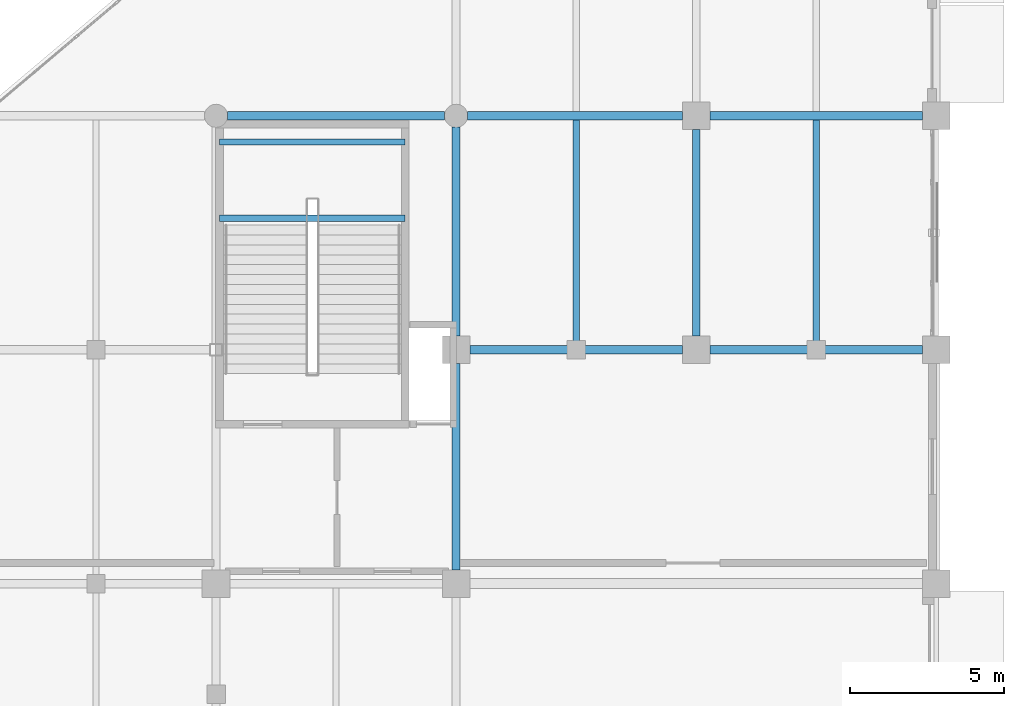
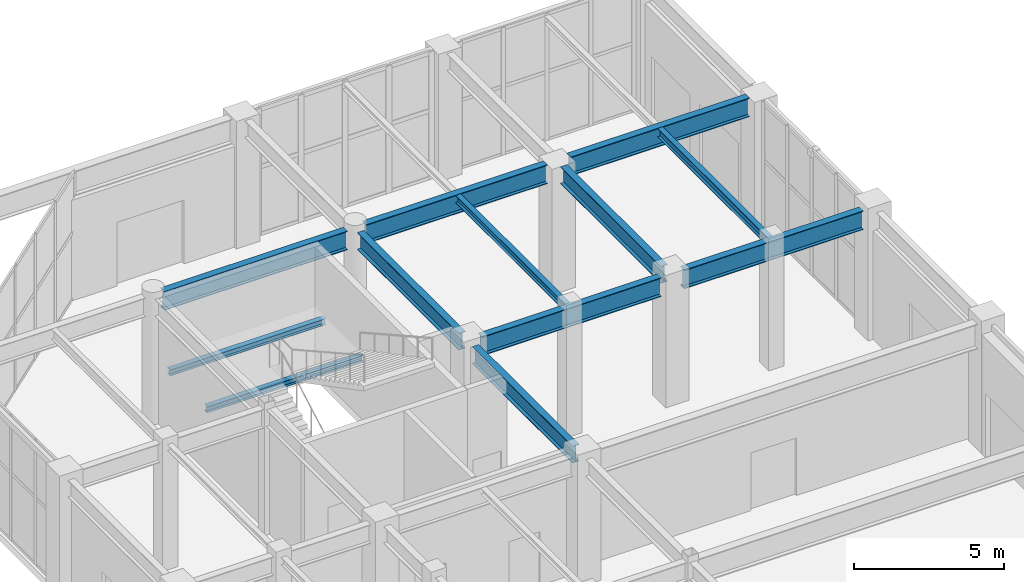
# One storey, part 84 of 139: 12 beams.
"""IFC4 building model written with IfcOpenShell, lengths in metres."""

import ifcopenshell
import ifcopenshell.guid

model = None  # the IFC model being written
_history = None  # IfcOwnerHistory: only IFC2X3 demands one
_inside = {}  # id of a spatial element -> (the spatial element, [elements in it])
_under = {}  # id of a project, library or spatial element -> (it, [spatial elements below it])
_declared = {}  # id of a project -> (the project, [libraries it declares])
_typed = {}  # id of a type object -> (the type object, [elements of that type])
_made_of = {}  # id of a material, layer set ... -> (it, [elements and type objects made of it])


def new_model(schema):
    """Start an empty IFC model of exactly this schema.

    Asked for "IFC4X3", IfcOpenShell would pick the latest addendum, in which some entities
    have other attributes; the version numbers below select the first issue.
    IFC2X3 requires an IfcOwnerHistory on every rooted entity: one is made here for all.
    """
    global model, _history
    if schema == "IFC4X3":
        model = ifcopenshell.file(schema_version=(4, 3, 0, 0))
    else:
        model = ifcopenshell.file(schema=schema)
    _inside.clear()
    _under.clear()
    _declared.clear()
    _typed.clear()
    _made_of.clear()
    _history = None
    if model.schema == "IFC2X3":
        org = make("IfcOrganization", Name="unknown")
        user = make(
            "IfcPersonAndOrganization",
            ThePerson=make("IfcPerson", FamilyName="unknown"),
            TheOrganization=org,
        )
        app = make(
            "IfcApplication",
            ApplicationDeveloper=org,
            Version="unknown",
            ApplicationFullName="unknown",
            ApplicationIdentifier="unknown",
        )
        _history = make(
            "IfcOwnerHistory",
            OwningUser=user,
            OwningApplication=app,
            ChangeAction="ADDED",
            CreationDate=0,
        )
    return model


def make(cls, **values):
    """One entity of the class cls with the attributes given. An attribute that is None is left unset."""
    return model.create_entity(
        cls, **{name: value for name, value in values.items() if value is not None}
    )


def rooted(cls, **values):
    """An entity with a GlobalId (a new one), such as an element, a storey or a relation."""
    return make(cls, GlobalId=ifcopenshell.guid.new(), OwnerHistory=_history, **values)


def si_unit(unit_type, name, prefix=None):
    """IfcSIUnit, for example si_unit("LENGTHUNIT", "METRE", prefix="MILLI")."""
    return make("IfcSIUnit", UnitType=unit_type, Prefix=prefix, Name=name)


def assignment(units):
    """IfcUnitAssignment: the units of a project."""
    return None if units is None else make("IfcUnitAssignment", Units=units)


def point(xyz):
    """IfcCartesianPoint."""
    return None if xyz is None else make("IfcCartesianPoint", Coordinates=xyz)


def direction(xyz):
    """IfcDirection."""
    return None if xyz is None else make("IfcDirection", DirectionRatios=xyz)


def frame(location, z_axis=None, x_axis=None):
    """IfcAxis2Placement3D, a coordinate frame: its origin and axes. An axis left out is left unset."""
    return make(
        "IfcAxis2Placement3D",
        Location=point(location),
        Axis=direction(z_axis),
        RefDirection=direction(x_axis),
    )


def frame_2d(location, x_axis=None):
    """IfcAxis2Placement2D, a coordinate frame in the plane: its origin and x axis."""
    return make(
        "IfcAxis2Placement2D", Location=point(location), RefDirection=direction(x_axis)
    )


def origin():
    """The frame at (0, 0, 0) with its axes left unset."""
    return frame((0.0, 0.0, 0.0))


def origin_2d():
    """The frame at (0, 0) in the plane with its x axis left unset."""
    return frame_2d((0.0, 0.0))


def place(relative_to, where):
    """IfcLocalPlacement: puts the frame where relative to a parent placement (None: the world)."""
    return make(
        "IfcLocalPlacement", PlacementRelTo=relative_to, RelativePlacement=where
    )


def context(
    kind, dimensions, precision=None, world=None, true_north=None, identifier=None
):
    """IfcGeometricRepresentationContext, for example the 3D "Model" context."""
    return make(
        "IfcGeometricRepresentationContext",
        ContextIdentifier=identifier,
        ContextType=kind,
        CoordinateSpaceDimension=dimensions,
        Precision=precision,
        WorldCoordinateSystem=world,
        TrueNorth=true_north,
    )


def subcontext(parent, identifier, kind, view, scale=None):
    """IfcGeometricRepresentationSubContext, for example "Body" below "Model"."""
    return make(
        "IfcGeometricRepresentationSubContext",
        ContextIdentifier=identifier,
        ContextType=kind,
        ParentContext=parent,
        TargetScale=scale,
        TargetView=view,
    )


def project(units=None, contexts=None):
    """IfcProject with its units and contexts."""
    return rooted(
        "IfcProject",
        Name="project",
        RepresentationContexts=contexts,
        UnitsInContext=assignment(units),
    )


def spatial(cls, under=None, at=None, **own):
    """A site, building, storey or space (cls), placed at a placement, below another one or the project."""
    s = rooted(cls, ObjectPlacement=at, **own)
    if under is not None:
        _under.setdefault(under.id(), (under, []))[1].append(s)
    return s


def profile(cls, at=None, kind="AREA", **sizes):
    """A parametric profile (cls). Its sizes go by their IFC names, for example OverallWidth=200.0."""
    return make(cls, ProfileType=kind, Position=at, **sizes)


def i_section(**sizes):
    """IfcIShapeProfileDef."""
    return profile("IfcIShapeProfileDef", **sizes)


def extrude(swept, where, along, depth):
    """IfcExtrudedAreaSolid: the profile swept, set in the frame where, extruded along a direction by depth."""
    return make(
        "IfcExtrudedAreaSolid",
        SweptArea=swept,
        Position=where,
        ExtrudedDirection=direction(along),
        Depth=depth,
    )


def shape(context_of_items, identifier, shape_type, items):
    """IfcShapeRepresentation: the items that make up one representation, for example the "Body"."""
    return make(
        "IfcShapeRepresentation",
        ContextOfItems=context_of_items,
        RepresentationIdentifier=identifier,
        RepresentationType=shape_type,
        Items=items,
    )


def material(Name=None, Category=None):
    """IfcMaterial."""
    return make("IfcMaterial", Name=Name, Category=Category)


def material_profile(
    of_material, cross_section, Name=None, Category=None, Priority=None
):
    """IfcMaterialProfile: a cross section and its material."""
    return make(
        "IfcMaterialProfile",
        Name=Name,
        Material=of_material,
        Profile=cross_section,
        Priority=Priority,
        Category=Category,
    )


def profile_set(profiles, Name=None, composite=None):
    """IfcMaterialProfileSet."""
    return make(
        "IfcMaterialProfileSet",
        Name=Name,
        MaterialProfiles=profiles,
        CompositeProfile=composite,
    )


def made_of(thing, what):
    """Note that an element or type object is made of a material, layer set ...; save() writes the relation."""
    if what is not None:
        _made_of.setdefault(what.id(), (what, []))[1].append(thing)
    return thing


def type_object(cls, material=None, **own):
    """A type object (cls), such as IfcWallType, which elements share."""
    return made_of(rooted(cls, **own), material)


def element(
    cls,
    number,
    at=None,
    inside=None,
    cuts=None,
    type_object=None,
    material=None,
    context=None,
    identifier="Body",
    shape_type=None,
    held_by="IfcProductDefinitionShape",
    body=None,
    shapes=None,
    **own,
):
    """One element of the class cls, such as IfcWall. Its Tag is "e" and its number.

    at: its placement. inside: the storey or other place that contains it. cuts: it is an
    opening in that element (IfcRelVoidsElement). A single representation is given by context,
    identifier, shape_type and body (its items); several are given by shapes. held_by: the class
    of the entity that holds the representations. save() writes the other relations.
    """
    e = rooted(cls, Tag="e%d" % number, ObjectPlacement=at, **own)
    if body is not None:
        shapes = [shape(context, identifier, shape_type, body)]
    if shapes is not None:
        e.Representation = make(held_by, Representations=shapes)
    if inside is not None:
        _inside.setdefault(inside.id(), (inside, []))[1].append(e)
    if cuts is not None:
        rooted(
            "IfcRelVoidsElement", RelatingBuildingElement=cuts, RelatedOpeningElement=e
        )
    if type_object is not None:
        _typed.setdefault(type_object.id(), (type_object, []))[1].append(e)
    return made_of(e, material)


def aggregate(whole, parts):
    """IfcRelAggregates: a whole, such as a stair, and the parts it consists of."""
    return rooted("IfcRelAggregates", RelatingObject=whole, RelatedObjects=parts)


def save(model, path):
    """Write the relations noted so far, then the file.

    IfcRelAggregates (storeys below a building ...), IfcRelContainedInSpatialStructure (elements
    in a storey), IfcRelDefinesByType, IfcRelAssociatesMaterial and IfcRelDeclares: one each for
    every whole, place, type object, material and project.
    """
    for whole, parts in _under.values():
        aggregate(whole, parts)
    for where, things in _inside.values():
        rooted(
            "IfcRelContainedInSpatialStructure",
            RelatedElements=things,
            RelatingStructure=where,
        )
    for kind, things in _typed.values():
        rooted("IfcRelDefinesByType", RelatedObjects=things, RelatingType=kind)
    for what, things in _made_of.values():
        rooted("IfcRelAssociatesMaterial", RelatedObjects=things, RelatingMaterial=what)
    for by, libraries in _declared.values():
        rooted("IfcRelDeclares", RelatingContext=by, RelatedDefinitions=libraries)
    model.write(path)


model = new_model("IFC4")

# Units and contexts
model_context = context("Model", 3, precision=1e-05, world=origin(), true_north=direction((0.0, 1.0)))
body_context = subcontext(model_context, "Body", "Model", "MODEL_VIEW")
ifc_project = project(units=[si_unit("LENGTHUNIT", "METRE"), si_unit("AREAUNIT", "SQUARE_METRE"), si_unit("VOLUMEUNIT", "CUBIC_METRE"), si_unit("PLANEANGLEUNIT", "RADIAN"), si_unit("MASSUNIT", "GRAM", prefix="KILO")], contexts=[model_context])

# Site, building, storey
site_placement = place(None, origin())
site = spatial("IfcSite", under=ifc_project, at=site_placement, CompositionType="ELEMENT")
building_placement = place(site_placement, origin())
building = spatial("IfcBuilding", under=site, at=building_placement, Name="Xicomal Pleat Aquarium", CompositionType="ELEMENT")
storey_placement = place(building_placement, origin())
storey = spatial("IfcBuildingStorey", under=building, at=storey_placement, Name="L01", CompositionType="ELEMENT", Elevation=0.0)

# Beams
ifc_material_1 = material(Name="Structural steel A992 Gr 50", Category="steel")
ifc_material_profile_1 = material_profile(ifc_material_1, i_section(OverallWidth=0.201904296875, OverallDepth=0.2470703125, WebThickness=0.00732421875, FlangeThickness=0.010986328125, at=origin_2d()), Name="IR 250x49")
ifc_profile_set_1 = profile_set([ifc_material_profile_1], Name="Structural steel A992 Gr 50")
beam_type_1 = type_object("IfcBeamType", Name="BM-STL-IR250", PredefinedType="JOIST", material=ifc_profile_set_1)
for number, where, z_axis, x_axis, name in (
    (1, (141.719970703125, 29.550048828125, 2.37890625), (1.0, 0.0, 0.0), (0.0, 1.0, 0.0), "ST-08-L01 half-landing bearer beam 1"),
    (2, (141.719970703125, 27.070068359375, 2.37890625), (1.0, 0.0, 0.0), (0.0, 1.0, 0.0), "ST-08-L01 half-landing bearer beam 2"),
):
    element("IfcBeam", number, at=place(storey_placement, frame(where, z_axis=z_axis, x_axis=x_axis)), inside=storey, type_object=beam_type_1, Name=name, PredefinedType="JOIST", context=body_context, shape_type="SweptSolid", body=[
        extrude(i_section(OverallWidth=0.201904296875, OverallDepth=0.2470703125, WebThickness=0.00732421875, FlangeThickness=0.010986328125, at=origin_2d()), origin(), (0.0, 0.0, 1.0), 6.02001953125),
    ])
ifc_material_2 = material(Name="Structural steel A992 Gr 50", Category="steel")
ifc_material_profile_2 = material_profile(ifc_material_2, i_section(OverallWidth=0.202880859375, OverallDepth=0.302978515625, WebThickness=0.007568359375, FlangeThickness=0.01318359375, at=origin_2d()), Name="IR 310x60")
ifc_profile_set_2 = profile_set([ifc_material_profile_2], Name="Structural steel A992 Gr 50")
beam_type_2 = type_object("IfcBeamType", Name="BM-STL-IR310", PredefinedType="JOIST", material=ifc_profile_set_2)
beam_1_placement = place(storey_placement, frame((153.300048828125, 22.93701171875, 4.968505859375), z_axis=(0.0, 1.0, 0.0), x_axis=(-1.0, 0.0, 0.0)))
element("IfcBeam", 3, at=beam_1_placement, inside=storey, type_object=beam_type_2, Name="L01 framing beam FBJ-L01-19-D-1", PredefinedType="JOIST", context=body_context, shape_type="SweptSolid", body=[
    extrude(i_section(OverallWidth=0.202880859375, OverallDepth=0.302978515625, WebThickness=0.007568359375, FlangeThickness=0.01318359375, at=origin_2d()), origin(), (0.0, 0.0, 1.0), 7.325927734375),
])
ifc_material_3 = material(Name="Structural steel A992 Gr 50", Category="steel")
ifc_material_profile_3 = material_profile(ifc_material_3, i_section(OverallWidth=0.205078125, OverallDepth=0.35400390625, WebThickness=0.009521484375, FlangeThickness=0.016845703125, at=origin_2d()), Name="IR 360x79")
ifc_profile_set_3 = profile_set([ifc_material_profile_3], Name="Structural steel A992 Gr 50")
beam_type_3 = type_object("IfcBeamType", Name="BM-STL-IR360", PredefinedType="JOIST", material=ifc_profile_set_3)
beam_2_placement = place(storey_placement, frame((161.10009765625, 22.93701171875, 4.943115234375), z_axis=(0.0, 1.0, 0.0), x_axis=(-1.0, 0.0, 0.0)))
element("IfcBeam", 4, at=beam_2_placement, inside=storey, type_object=beam_type_3, Name="L01 framing beam FBJ-L01-20-D-1", PredefinedType="JOIST", context=body_context, shape_type="SweptSolid", body=[
    extrude(i_section(OverallWidth=0.205078125, OverallDepth=0.35400390625, WebThickness=0.009521484375, FlangeThickness=0.016845703125, at=origin_2d()), origin(), (0.0, 0.0, 1.0), 7.325927734375),
])
ifc_material_4 = material(Name="Structural steel A992 Gr 50", Category="steel")
ifc_material_profile_4 = material_profile(ifc_material_4, i_section(OverallWidth=0.256103515625, OverallDepth=0.693115234375, WebThickness=0.014404296875, FlangeThickness=0.023681640625, at=origin_2d()), Name="IR 690x170")
ifc_profile_set_4 = profile_set([ifc_material_profile_4], Name="Structural steel A992 Gr 50")
beam_type_4 = type_object("IfcBeamType", Name="BM-STL-IR690", PredefinedType="BEAM", material=ifc_profile_set_4)
beam_3_placement = place(storey_placement, frame((149.39990234375, 15.64501953125, 4.7734375), z_axis=(0.0, 1.0, 0.0), x_axis=(-1.0, 0.0, 0.0)))
element("IfcBeam", 5, at=beam_3_placement, inside=storey, type_object=beam_type_4, Name="L01 framing beam FGY-L01-19-C-D", PredefinedType="BEAM", context=body_context, shape_type="SweptSolid", body=[
    extrude(i_section(OverallWidth=0.256103515625, OverallDepth=0.693115234375, WebThickness=0.014404296875, FlangeThickness=0.023681640625, at=origin_2d()), origin(), (0.0, 0.0, 1.0), 6.7099609375),
])
beam_4_placement = place(storey_placement, frame((149.39990234375, 23.2451171875, 4.7734375), z_axis=(0.0, 1.0, 0.0), x_axis=(-1.0, 0.0, 0.0)))
element("IfcBeam", 6, at=beam_4_placement, inside=storey, type_object=beam_type_4, Name="L01 framing beam FGY-L01-19-D-E", PredefinedType="BEAM", context=body_context, shape_type="SweptSolid", body=[
    extrude(i_section(OverallWidth=0.256103515625, OverallDepth=0.693115234375, WebThickness=0.014404296875, FlangeThickness=0.023681640625, at=origin_2d()), origin(), (0.0, 0.0, 1.0), 6.784912109375),
])
beam_5_placement = place(storey_placement, frame((157.199951171875, 23.2451171875, 4.7734375), z_axis=(0.0, 1.0, 0.0), x_axis=(-1.0, 0.0, 0.0)))
element("IfcBeam", 7, at=beam_5_placement, inside=storey, type_object=beam_type_4, Name="L01 framing beam FGY-L01-20-D-E", PredefinedType="BEAM", context=body_context, shape_type="SweptSolid", body=[
    extrude(i_section(OverallWidth=0.256103515625, OverallDepth=0.693115234375, WebThickness=0.014404296875, FlangeThickness=0.023681640625, at=origin_2d()), origin(), (0.0, 0.0, 1.0), 6.7099609375),
])
ifc_material_5 = material(Name="Structural steel A992 Gr 50", Category="steel")
ifc_material_profile_5 = material_profile(ifc_material_5, i_section(OverallWidth=0.26806640625, OverallDepth=0.77001953125, WebThickness=0.015625, FlangeThickness=0.025390625, at=origin_2d()), Name="IR 760x196")
ifc_profile_set_5 = profile_set([ifc_material_profile_5], Name="Structural steel A992 Gr 50")
beam_type_5 = type_object("IfcBeamType", Name="BM-STL-IR760", PredefinedType="BEAM", material=ifc_profile_set_5)
for number, where, z_axis, x_axis, name in (
    (8, (149.844970703125, 22.800048828125, 4.735107421875), (1.0, 0.0, 0.0), (0.0, 1.0, 0.0), "L01 framing beam FGX-L01-19-20-D"),
    (9, (157.64501953125, 22.800048828125, 4.735107421875), (1.0, 0.0, 0.0), (0.0, 1.0, 0.0), "L01 framing beam FGX-L01-20-21-D"),
):
    element("IfcBeam", number, at=place(storey_placement, frame(where, z_axis=z_axis, x_axis=x_axis)), inside=storey, type_object=beam_type_5, Name=name, PredefinedType="BEAM", context=body_context, shape_type="SweptSolid", body=[
        extrude(i_section(OverallWidth=0.26806640625, OverallDepth=0.77001953125, WebThickness=0.015625, FlangeThickness=0.025390625, at=origin_2d()), origin(), (0.0, 0.0, 1.0), 6.909912109375),
    ])
beam_6_placement = place(storey_placement, frame((141.969970703125, 30.39990234375, 4.735107421875), z_axis=(1.0, 0.0, 0.0), x_axis=(0.0, 1.0, 0.0)))
element("IfcBeam", 10, at=beam_6_placement, inside=storey, type_object=beam_type_5, Name="L01 framing beam FGX-L01-18-19-E", PredefinedType="BEAM", context=body_context, shape_type="SweptSolid", body=[
    extrude(i_section(OverallWidth=0.26806640625, OverallDepth=0.77001953125, WebThickness=0.015625, FlangeThickness=0.025390625, at=origin_2d()), origin(), (0.0, 0.0, 1.0), 7.06005859375),
])
beam_7_placement = place(storey_placement, frame((149.77001953125, 30.39990234375, 4.735107421875), z_axis=(1.0, 0.0, 0.0), x_axis=(0.0, 1.0, 0.0)))
element("IfcBeam", 11, at=beam_7_placement, inside=storey, type_object=beam_type_5, Name="L01 framing beam FGX-L01-19-20-E", PredefinedType="BEAM", context=body_context, shape_type="SweptSolid", body=[
    extrude(i_section(OverallWidth=0.26806640625, OverallDepth=0.77001953125, WebThickness=0.015625, FlangeThickness=0.025390625, at=origin_2d()), origin(), (0.0, 0.0, 1.0), 6.98486328125),
])
beam_8_placement = place(storey_placement, frame((157.64501953125, 30.39990234375, 4.735107421875), z_axis=(1.0, 0.0, 0.0), x_axis=(0.0, 1.0, 0.0)))
element("IfcBeam", 12, at=beam_8_placement, inside=storey, type_object=beam_type_5, Name="L01 framing beam FGX-L01-20-21-E", PredefinedType="BEAM", context=body_context, shape_type="SweptSolid", body=[
    extrude(i_section(OverallWidth=0.26806640625, OverallDepth=0.77001953125, WebThickness=0.015625, FlangeThickness=0.025390625, at=origin_2d()), origin(), (0.0, 0.0, 1.0), 6.909912109375),
])

save(model, "model.ifc")
